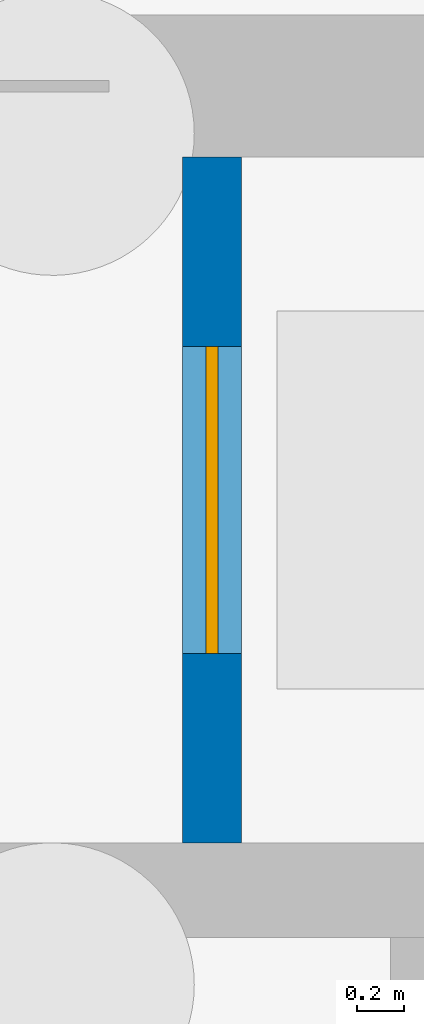
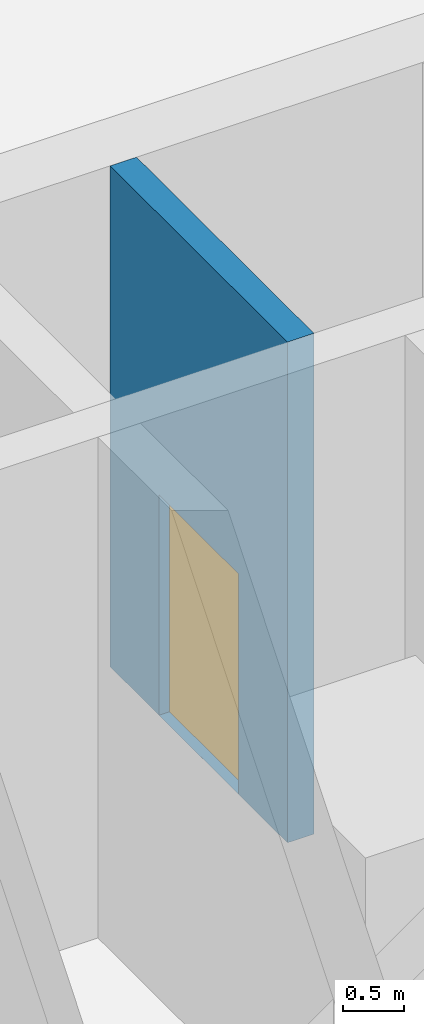
# One storey, part 16 of 24: 1 door, 1 wall, 1 opening.
"""IFC4 building model written with IfcOpenShell, lengths in metres."""

from ifc_helpers import new_model, si_unit, direction, frame, frame_2d, origin, place, context, subcontext, project, spatial, rectangle, extrude, material, layer, layer_set, type_object, element, fill, save


model = new_model("IFC4")

# Units and contexts
model_context = context("Model", 3, precision=1e-05, world=origin(), true_north=direction((0.0, 1.0)))
body_context = subcontext(model_context, "Body", "Model", "MODEL_VIEW")
ifc_project = project(units=[si_unit("LENGTHUNIT", "METRE"), si_unit("AREAUNIT", "SQUARE_METRE"), si_unit("VOLUMEUNIT", "CUBIC_METRE"), si_unit("PLANEANGLEUNIT", "RADIAN"), si_unit("MASSUNIT", "GRAM", prefix="KILO")], contexts=[model_context])

# Site, building, storey
site_placement = place(None, origin())
site = spatial("IfcSite", under=ifc_project, at=site_placement, CompositionType="ELEMENT")
building_placement = place(site_placement, origin())
building = spatial("IfcBuilding", under=site, at=building_placement, Name="Ostroluk Exchange", CompositionType="ELEMENT")
storey_placement = place(building_placement, frame((0.0, 0.0, -10.0)))
storey = spatial("IfcBuildingStorey", under=building, at=storey_placement, Name="B2", CompositionType="ELEMENT", Elevation=-10.0)

# Wall, opening, door
ifc_material_1 = material(Name="Concrete C40/50", Category="concrete")
ifc_layer = layer(ifc_material_1, 0.25)
ifc_layer_set = layer_set([ifc_layer], Name="Core shaft wall 250")
wall_type = type_object("IfcWallType", Name="Core shaft wall 250", PredefinedType="SHEAR", material=ifc_layer_set)
wall_placement = place(storey_placement, frame((123.074951171875, 52.0, 0.0), z_axis=(0.0, 0.0, 1.0), x_axis=(0.0, 1.0, 0.0)))
wall = element("IfcWall", 1, at=wall_placement, inside=storey, type_object=wall_type, Name="Firefighting lift shaft wall", PredefinedType="SHEAR", context=body_context, shape_type="SweptSolid", body=[
    extrude(rectangle(XDim=2.89990234375, YDim=0.25, at=frame_2d((1.449951171875, 0.0))), origin(), (0.0, 0.0, 1.0), 5.0),
])
opening_placement = place(wall_placement, frame((0.800048828125, 0.0, 0.0)))
opening = element("IfcOpeningElement", 2, at=opening_placement, cuts=wall, Name="Opening LD2", PredefinedType="OPENING", context=body_context, shape_type="SweptSolid", body=[
    extrude(rectangle(XDim=1.300048828125, YDim=2.199951171875, at=frame_2d((0.64990234375, 1.10009765625))), frame((0.0, 0.135009765625, 0.0), z_axis=(0.0, -1.0, 0.0), x_axis=(1.0, 0.0, 0.0)), (0.0, 0.0, 1.0), 0.27001953125),
])
ifc_material_2 = material(Name="Stainless steel", Category="steel")
door_type = type_object("IfcDoorType", Name="Lift landing door E 60 1300 x 2200", OperationType="DOUBLE_DOOR_SLIDING", PredefinedType="DOOR", material=ifc_material_2)
door_placement = place(opening_placement, origin())
door = element("IfcDoor", 3, at=door_placement, inside=storey, type_object=door_type, Name="Lift HF2 landing door", OperationType="DOUBLE_DOOR_SLIDING", OverallHeight=2.199951171875, OverallWidth=1.300048828125, PredefinedType="DOOR", context=body_context, shape_type="SweptSolid", body=[
    extrude(rectangle(XDim=1.300048828125, YDim=2.199951171875, at=frame_2d((0.64990234375, 1.10009765625))), frame((0.0, 0.02490234375, 0.0), z_axis=(0.0, -1.0, 0.0), x_axis=(1.0, 0.0, 0.0)), (0.0, 0.0, 1.0), 0.050048828125),
])
fill(opening, door)

save(model, "model.ifc")
